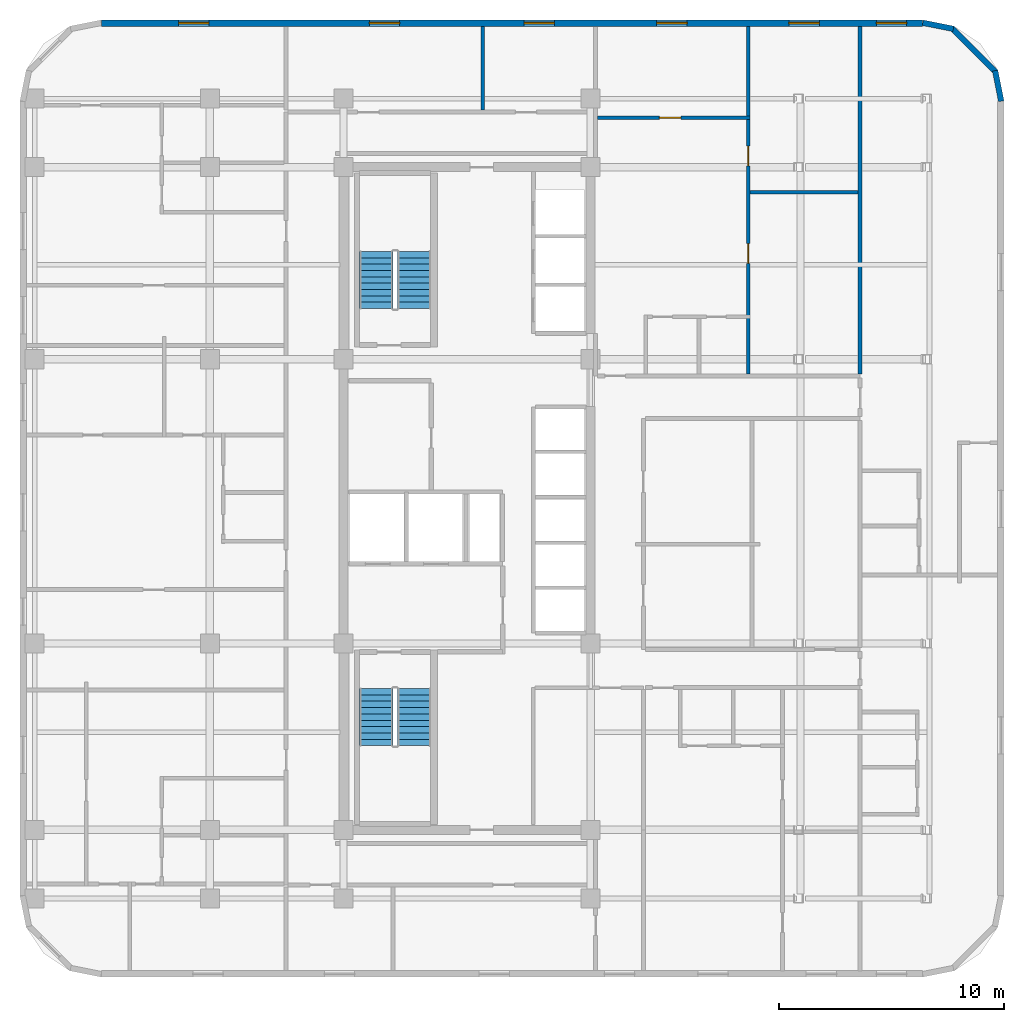
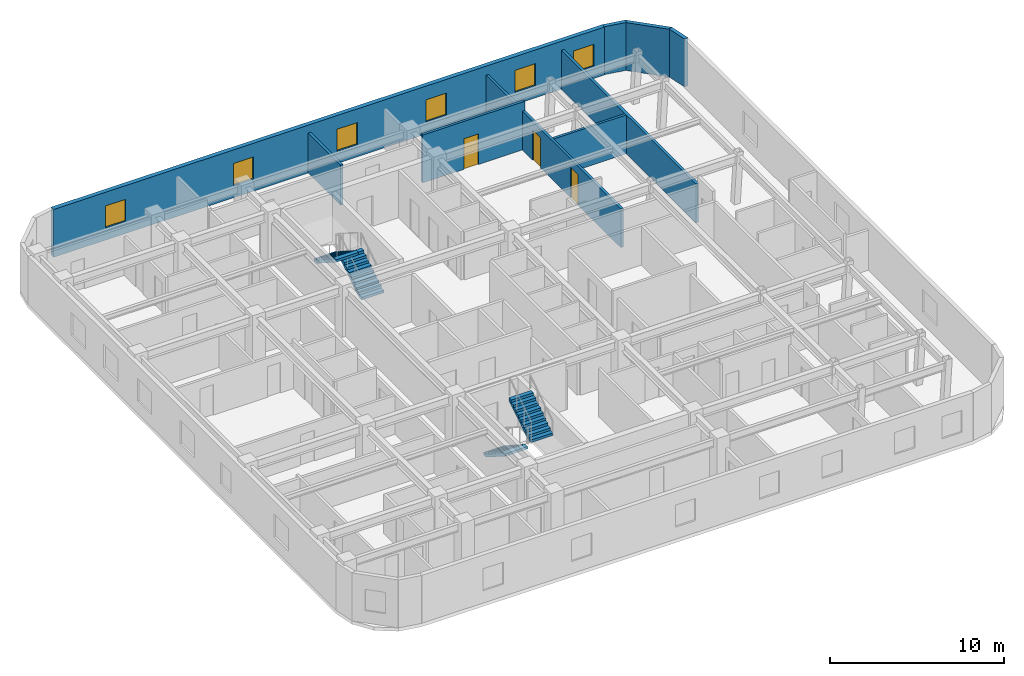
# One storey, part 7 of 8: 9 walls, 6 windows, 4 stair flights, 3 doors, 9 openings, 2 elements without a shape of their own.
"""IFC4 building model written with IfcOpenShell, lengths in metres."""

from ifc_helpers import new_model, si_unit, direction, frame, frame_2d, origin, place, context, subcontext, project, spatial, polyline, rectangle, outline, extrude, material, layer, layer_set, type_object, element, fill, aggregate, save


model = new_model("IFC4")

# Units and contexts
model_context = context("Model", 3, precision=1e-05, world=origin(), true_north=direction((0.0, 1.0)))
body_context = subcontext(model_context, "Body", "Model", "MODEL_VIEW")
ifc_project = project(units=[si_unit("LENGTHUNIT", "METRE"), si_unit("AREAUNIT", "SQUARE_METRE"), si_unit("VOLUMEUNIT", "CUBIC_METRE"), si_unit("PLANEANGLEUNIT", "RADIAN"), si_unit("MASSUNIT", "GRAM", prefix="KILO")], contexts=[model_context])

# Site, building, storey
site_placement = place(None, origin())
site = spatial("IfcSite", under=ifc_project, at=site_placement, CompositionType="ELEMENT")
building_placement = place(site_placement, origin())
building = spatial("IfcBuilding", under=site, at=building_placement, Name="Ochreholt Gables", CompositionType="ELEMENT")
storey_placement = place(building_placement, frame((0.0, 0.0, 128.39990234375)))
storey = spatial("IfcBuildingStorey", under=building, at=storey_placement, Name="L33", CompositionType="ELEMENT", Elevation=128.39990234375)

# Wall, openings, windows
ifc_material_1 = material(Name="Precast concrete 40 MPa", Category="concrete")
ifc_layer_1 = layer(ifc_material_1, 0.280029296875, Name="Precast concrete 40 MPa")
ifc_layer_set_1 = layer_set([ifc_layer_1], Name="Precast concrete 40 MPa")
wall_type_1 = type_object("IfcWallType", Name="WALL-EXT-280", PredefinedType="SOLIDWALL", material=ifc_layer_set_1)
wall_1_placement = place(storey_placement, frame((49.97998046875, 45.159912109375, 0.0), z_axis=(0.0, 0.0, 1.0), x_axis=(-1.0, 0.0, 0.0)))
wall_1 = element("IfcWall", 1, at=wall_1_placement, inside=storey, type_object=wall_type_1, Name="L33 North Exterior Wall", PredefinedType="SOLIDWALL", context=body_context, shape_type="SweptSolid", body=[
    extrude(rectangle(XDim=36.56005859375, YDim=0.280029296875, at=frame_2d((18.280029296875, 0.0))), origin(), (0.0, 0.0, 1.0), 3.360107421875),
])
opening_1_placement = place(wall_1_placement, frame((31.77001953125, 0.0, 0.85009765625)))
opening_1 = element("IfcOpeningElement", 2, at=opening_1_placement, cuts=wall_1, Name="Opening WN-8", PredefinedType="OPENING", context=body_context, shape_type="SweptSolid", body=[
    extrude(rectangle(XDim=1.35009765625, YDim=1.550048828125, at=frame_2d((0.675048828125, 0.77490234375))), frame((0.0, 0.14990234375, 0.0), z_axis=(0.0, -1.0, 0.0), x_axis=(1.0, 0.0, 0.0)), (0.0, 0.0, 1.0), 0.300048828125),
])
opening_2_placement = place(wall_1_placement, frame((23.280029296875, 0.0, 0.85009765625)))
opening_2 = element("IfcOpeningElement", 3, at=opening_2_placement, cuts=wall_1, Name="Opening WN-8", PredefinedType="OPENING", context=body_context, shape_type="SweptSolid", body=[
    extrude(rectangle(XDim=1.35009765625, YDim=1.550048828125, at=frame_2d((0.675048828125, 0.77490234375))), frame((0.0, 0.14990234375, 0.0), z_axis=(0.0, -1.0, 0.0), x_axis=(1.0, 0.0, 0.0)), (0.0, 0.0, 1.0), 0.300048828125),
])
opening_3_placement = place(wall_1_placement, frame((16.39501953125, 0.0, 0.85009765625)))
opening_3 = element("IfcOpeningElement", 4, at=opening_3_placement, cuts=wall_1, Name="Opening WN-8", PredefinedType="OPENING", context=body_context, shape_type="SweptSolid", body=[
    extrude(rectangle(XDim=1.35009765625, YDim=1.550048828125, at=frame_2d((0.675048828125, 0.77490234375))), frame((0.0, 0.14990234375, 0.0), z_axis=(0.0, -1.0, 0.0), x_axis=(1.0, 0.0, 0.0)), (0.0, 0.0, 1.0), 0.300048828125),
])
opening_4_placement = place(wall_1_placement, frame((10.489990234375, 0.0, 0.85009765625)))
opening_4 = element("IfcOpeningElement", 5, at=opening_4_placement, cuts=wall_1, Name="Opening WN-8", PredefinedType="OPENING", context=body_context, shape_type="SweptSolid", body=[
    extrude(rectangle(XDim=1.35009765625, YDim=1.550048828125, at=frame_2d((0.675048828125, 0.77490234375))), frame((0.0, 0.14990234375, 0.0), z_axis=(0.0, -1.0, 0.0), x_axis=(1.0, 0.0, 0.0)), (0.0, 0.0, 1.0), 0.300048828125),
])
opening_5_placement = place(wall_1_placement, frame((4.60009765625, 0.0, 0.85009765625)))
opening_5 = element("IfcOpeningElement", 6, at=opening_5_placement, cuts=wall_1, Name="Opening WN-8", PredefinedType="OPENING", context=body_context, shape_type="SweptSolid", body=[
    extrude(rectangle(XDim=1.35009765625, YDim=1.550048828125, at=frame_2d((0.675048828125, 0.77490234375))), frame((0.0, 0.14990234375, 0.0), z_axis=(0.0, -1.0, 0.0), x_axis=(1.0, 0.0, 0.0)), (0.0, 0.0, 1.0), 0.300048828125),
])
opening_6_placement = place(wall_1_placement, frame((0.715087890625, 0.0, 0.85009765625)))
opening_6 = element("IfcOpeningElement", 7, at=opening_6_placement, cuts=wall_1, Name="Opening WN-8", PredefinedType="OPENING", context=body_context, shape_type="SweptSolid", body=[
    extrude(rectangle(XDim=1.35009765625, YDim=1.550048828125, at=frame_2d((0.675048828125, 0.77490234375))), frame((0.0, 0.14990234375, 0.0), z_axis=(0.0, -1.0, 0.0), x_axis=(1.0, 0.0, 0.0)), (0.0, 0.0, 1.0), 0.300048828125),
])
ifc_material_2 = material(Name="Triple-Glazed Thermally Broken Aluminium Window", Category="aluminium")
window_type = type_object("IfcWindowType", Name="WIN-RES-1350", PartitioningType="SINGLE_PANEL", PredefinedType="WINDOW", material=ifc_material_2)
window_1_placement = place(opening_1_placement, origin())
window_1 = element("IfcWindow", 8, at=window_1_placement, inside=storey, type_object=window_type, Name="L33 Window W-EXT-N-L33-1", OverallHeight=1.550048828125, OverallWidth=1.35009765625, PartitioningType="SINGLE_PANEL", PredefinedType="WINDOW", context=body_context, shape_type="SweptSolid", body=[
    extrude(rectangle(XDim=1.35009765625, YDim=1.550048828125, at=frame_2d((0.675048828125, 0.77490234375))), frame((0.0, 0.030029296875, 0.0), z_axis=(0.0, -1.0, 0.0), x_axis=(1.0, 0.0, 0.0)), (0.0, 0.0, 1.0), 0.06005859375),
])
fill(opening_1, window_1)
window_2_placement = place(opening_2_placement, origin())
window_2 = element("IfcWindow", 9, at=window_2_placement, inside=storey, type_object=window_type, Name="L33 Window W-EXT-N-L33-2", OverallHeight=1.550048828125, OverallWidth=1.35009765625, PartitioningType="SINGLE_PANEL", PredefinedType="WINDOW", context=body_context, shape_type="SweptSolid", body=[
    extrude(rectangle(XDim=1.35009765625, YDim=1.550048828125, at=frame_2d((0.675048828125, 0.77490234375))), frame((0.0, 0.030029296875, 0.0), z_axis=(0.0, -1.0, 0.0), x_axis=(1.0, 0.0, 0.0)), (0.0, 0.0, 1.0), 0.06005859375),
])
fill(opening_2, window_2)
window_3_placement = place(opening_3_placement, origin())
window_3 = element("IfcWindow", 10, at=window_3_placement, inside=storey, type_object=window_type, Name="L33 Window W-EXT-N-L33-3", OverallHeight=1.550048828125, OverallWidth=1.35009765625, PartitioningType="SINGLE_PANEL", PredefinedType="WINDOW", context=body_context, shape_type="SweptSolid", body=[
    extrude(rectangle(XDim=1.35009765625, YDim=1.550048828125, at=frame_2d((0.675048828125, 0.77490234375))), frame((0.0, 0.030029296875, 0.0), z_axis=(0.0, -1.0, 0.0), x_axis=(1.0, 0.0, 0.0)), (0.0, 0.0, 1.0), 0.06005859375),
])
fill(opening_3, window_3)
window_4_placement = place(opening_4_placement, origin())
window_4 = element("IfcWindow", 11, at=window_4_placement, inside=storey, type_object=window_type, Name="L33 Window W-EXT-N-L33-4", OverallHeight=1.550048828125, OverallWidth=1.35009765625, PartitioningType="SINGLE_PANEL", PredefinedType="WINDOW", context=body_context, shape_type="SweptSolid", body=[
    extrude(rectangle(XDim=1.35009765625, YDim=1.550048828125, at=frame_2d((0.675048828125, 0.77490234375))), frame((0.0, 0.030029296875, 0.0), z_axis=(0.0, -1.0, 0.0), x_axis=(1.0, 0.0, 0.0)), (0.0, 0.0, 1.0), 0.06005859375),
])
fill(opening_4, window_4)
window_5_placement = place(opening_5_placement, origin())
window_5 = element("IfcWindow", 12, at=window_5_placement, inside=storey, type_object=window_type, Name="L33 Window W-EXT-N-L33-5", OverallHeight=1.550048828125, OverallWidth=1.35009765625, PartitioningType="SINGLE_PANEL", PredefinedType="WINDOW", context=body_context, shape_type="SweptSolid", body=[
    extrude(rectangle(XDim=1.35009765625, YDim=1.550048828125, at=frame_2d((0.675048828125, 0.77490234375))), frame((0.0, 0.030029296875, 0.0), z_axis=(0.0, -1.0, 0.0), x_axis=(1.0, 0.0, 0.0)), (0.0, 0.0, 1.0), 0.06005859375),
])
fill(opening_5, window_5)
window_6_placement = place(opening_6_placement, origin())
window_6 = element("IfcWindow", 13, at=window_6_placement, inside=storey, type_object=window_type, Name="L33 Window W-EXT-N-L33-6", OverallHeight=1.550048828125, OverallWidth=1.35009765625, PartitioningType="SINGLE_PANEL", PredefinedType="WINDOW", context=body_context, shape_type="SweptSolid", body=[
    extrude(rectangle(XDim=1.35009765625, YDim=1.550048828125, at=frame_2d((0.675048828125, 0.77490234375))), frame((0.0, 0.030029296875, 0.0), z_axis=(0.0, -1.0, 0.0), x_axis=(1.0, 0.0, 0.0)), (0.0, 0.0, 1.0), 0.06005859375),
])
fill(opening_6, window_6)

# Walls
ifc_layer_2 = layer(ifc_material_1, 0.25, Name="Precast concrete 40 MPa")
ifc_layer_set_2 = layer_set([ifc_layer_2], Name="Precast concrete 40 MPa")
wall_type_2 = type_object("IfcWallType", Name="WALL-EXT-CNR", PredefinedType="SOLIDWALL", material=ifc_layer_set_2)
wall_2_placement = place(storey_placement, frame((53.475830078125, 41.68359375, 0.0), z_axis=(0.0, 0.0, 1.0), x_axis=(-0.195000137217, 0.980803214965, 0.0)))
element("IfcWall", 14, at=wall_2_placement, inside=storey, type_object=wall_type_2, Name="L33 Rounded Corner Wall NE-1", PredefinedType="SOLIDWALL", context=body_context, shape_type="SweptSolid", body=[
    extrude(rectangle(XDim=1.388427734375, YDim=0.25, at=frame_2d((0.6943359375, 0.0))), origin(), (0.0, 0.0, 1.0), 3.360107421875),
])
wall_3_placement = place(storey_placement, frame((53.23193359375, 42.9951171875, 0.0), z_axis=(0.0, 0.0, 1.0), x_axis=(-0.707151344399, 0.707062215165, 0.0)))
element("IfcWall", 15, at=wall_3_placement, inside=storey, type_object=wall_type_2, Name="L33 Rounded Corner Wall NE-2", PredefinedType="SOLIDWALL", context=body_context, shape_type="SweptSolid", body=[
    extrude(rectangle(XDim=2.7392578125, YDim=0.25, at=frame_2d((1.36962890625, 0.0))), origin(), (0.0, 0.0, 1.0), 3.360107421875),
])
wall_4_placement = place(storey_placement, frame((51.345458984375, 44.905029296875, 0.0), z_axis=(0.0, 0.0, 1.0), x_axis=(-0.980809899341, 0.19496651342, 0.0)))
element("IfcWall", 16, at=wall_4_placement, inside=storey, type_object=wall_type_2, Name="L33 Rounded Corner Wall NE-3", PredefinedType="SOLIDWALL", context=body_context, shape_type="SweptSolid", body=[
    extrude(rectangle(XDim=1.388671875, YDim=0.25, at=frame_2d((0.6943359375, 0.0))), origin(), (0.0, 0.0, 1.0), 3.360107421875),
])
ifc_material_3 = material(Name="Double-Stud Acoustic Demising Wall", Category="gypsum")
ifc_layer_3 = layer(ifc_material_3, 0.179931640625, Name="Double-Stud Acoustic Demising Wall")
ifc_layer_set_3 = layer_set([ifc_layer_3], Name="Double-Stud Acoustic Demising Wall")
wall_type_3 = type_object("IfcWallType", Name="WALL-INT-DM180", PredefinedType="PARTITIONING", material=ifc_layer_set_3)
wall_5_placement = place(storey_placement, frame((47.199951171875, 29.550048828125, 0.0), z_axis=(0.0, 0.0, 1.0), x_axis=(0.0, 1.0, 0.0)))
element("IfcWall", 17, at=wall_5_placement, inside=storey, type_object=wall_type_3, Name="L33 Interior Wall WI-C2FEW3-L33", PredefinedType="PARTITIONING", context=body_context, shape_type="SweptSolid", body=[
    extrude(rectangle(XDim=15.469970703125, YDim=0.179931640625, at=frame_2d((7.73486328125, 0.0))), origin(), (0.0, 0.0, 1.0), 2.731201171875),
])

# Wall, openings, doors
ifc_material_4 = material(Name="Gypsum Acoustic Stud Partition", Category="gypsum")
ifc_layer_4 = layer(ifc_material_4, 0.1650390625, Name="Gypsum Acoustic Stud Partition")
ifc_layer_set_4 = layer_set([ifc_layer_4], Name="Gypsum Acoustic Stud Partition")
wall_type_4 = type_object("IfcWallType", Name="WALL-INT-PT165", PredefinedType="PARTITIONING", material=ifc_layer_set_4)
wall_6_placement = place(storey_placement, frame((42.2099609375, 29.550048828125, 0.0), z_axis=(0.0, 0.0, 1.0), x_axis=(0.0, 1.0, 0.0)))
wall_6 = element("IfcWall", 18, at=wall_6_placement, inside=storey, type_object=wall_type_4, Name="L33 Interior Wall WU-L33N1-MNX", PredefinedType="PARTITIONING", context=body_context, shape_type="SweptSolid", body=[
    extrude(rectangle(XDim=15.469970703125, YDim=0.1650390625, at=frame_2d((7.73486328125, 0.0))), origin(), (0.0, 0.0, 1.0), 2.731201171875),
])
opening_7_placement = place(wall_6_placement, frame((4.91748046875, 0.0, 0.0)))
opening_7 = element("IfcOpeningElement", 19, at=opening_7_placement, cuts=wall_6, Name="Opening D-BD2", PredefinedType="OPENING", context=body_context, shape_type="SweptSolid", body=[
    extrude(rectangle(XDim=0.8798828125, YDim=2.139892578125, at=frame_2d((0.43994140625, 1.06982421875))), frame((0.0, 0.092529296875, 0.0), z_axis=(0.0, -1.0, 0.0), x_axis=(1.0, 0.0, 0.0)), (0.0, 0.0, 1.0), 0.18505859375),
])
opening_8_placement = place(wall_6_placement, frame((9.2548828125, 0.0, 0.0)))
opening_8 = element("IfcOpeningElement", 20, at=opening_8_placement, cuts=wall_6, Name="Opening D-BD2", PredefinedType="OPENING", context=body_context, shape_type="SweptSolid", body=[
    extrude(rectangle(XDim=0.8798828125, YDim=2.139892578125, at=frame_2d((0.43994140625, 1.06982421875))), frame((0.0, 0.092529296875, 0.0), z_axis=(0.0, -1.0, 0.0), x_axis=(1.0, 0.0, 0.0)), (0.0, 0.0, 1.0), 0.18505859375),
])
ifc_material_5 = material(Name="Engineered Oak Timber", Category="wood")
door_type_1 = type_object("IfcDoorType", Name="DR-INT-BED880", OperationType="NOTDEFINED", PredefinedType="DOOR", material=ifc_material_5)
door_1_placement = place(opening_7_placement, origin())
door_1 = element("IfcDoor", 21, at=door_1_placement, inside=storey, type_object=door_type_1, Name="L33 Door D-U-L33N1-BD1", OperationType="SINGLE_SWING_LEFT", OverallHeight=2.139892578125, OverallWidth=0.8798828125, PredefinedType="DOOR", context=body_context, shape_type="SweptSolid", body=[
    extrude(rectangle(XDim=0.8798828125, YDim=2.139892578125, at=frame_2d((0.43994140625, 1.06982421875))), frame((0.0, 0.02490234375, 0.0), z_axis=(0.0, -1.0, 0.0), x_axis=(1.0, 0.0, 0.0)), (0.0, 0.0, 1.0), 0.050048828125),
])
fill(opening_7, door_1)
door_2_placement = place(opening_8_placement, origin())
door_2 = element("IfcDoor", 22, at=door_2_placement, inside=storey, type_object=door_type_1, Name="L33 Door D-U-L33N1-BD2", OperationType="SINGLE_SWING_RIGHT", OverallHeight=2.139892578125, OverallWidth=0.8798828125, PredefinedType="DOOR", context=body_context, shape_type="SweptSolid", body=[
    extrude(rectangle(XDim=0.8798828125, YDim=2.139892578125, at=frame_2d((0.43994140625, 1.06982421875))), frame((0.0, 0.02490234375, 0.0), z_axis=(0.0, -1.0, 0.0), x_axis=(1.0, 0.0, 0.0)), (0.0, 0.0, 1.0), 0.050048828125),
])
fill(opening_8, door_2)

# Wall, opening, door
wall_7_placement = place(storey_placement, frame((35.510009765625, 40.949951171875, 0.0), z_axis=(0.0, 0.0, 1.0), x_axis=(1.0, 0.0, 0.0)))
wall_7 = element("IfcWall", 23, at=wall_7_placement, inside=storey, type_object=wall_type_4, Name="L33 Interior Wall WU-L33N1-DNY", PredefinedType="PARTITIONING", context=body_context, shape_type="SweptSolid", body=[
    extrude(rectangle(XDim=6.780029296875, YDim=0.1650390625, at=frame_2d((3.39013671875, 0.0))), origin(), (0.0, 0.0, 1.0), 3.360107421875),
])
opening_9_placement = place(wall_7_placement, frame((2.7548828125, 0.0, 0.0)))
opening_9 = element("IfcOpeningElement", 24, at=opening_9_placement, cuts=wall_7, Name="Opening D-GN1", PredefinedType="OPENING", context=body_context, shape_type="SweptSolid", body=[
    extrude(rectangle(XDim=0.949951171875, YDim=2.14990234375, at=frame_2d((0.47509765625, 1.074951171875))), frame((0.0, 0.092529296875, 0.0), z_axis=(0.0, -1.0, 0.0), x_axis=(1.0, 0.0, 0.0)), (0.0, 0.0, 1.0), 0.18505859375),
])
door_type_2 = type_object("IfcDoorType", Name="DR-INT-GEN950", OperationType="NOTDEFINED", PredefinedType="DOOR", material=ifc_material_5)
door_3_placement = place(opening_9_placement, origin())
door_3 = element("IfcDoor", 25, at=door_3_placement, inside=storey, type_object=door_type_2, Name="L33 Door D-U-L33N1-DIN", OperationType="SINGLE_SWING_RIGHT", OverallHeight=2.14990234375, OverallWidth=0.949951171875, PredefinedType="DOOR", context=body_context, shape_type="SweptSolid", body=[
    extrude(rectangle(XDim=0.949951171875, YDim=2.14990234375, at=frame_2d((0.47509765625, 1.074951171875))), frame((0.0, 0.02490234375, 0.0), z_axis=(0.0, -1.0, 0.0), x_axis=(1.0, 0.0, 0.0)), (0.0, 0.0, 1.0), 0.050048828125),
])
fill(opening_9, door_3)

# Walls
wall_8_placement = place(storey_placement, frame((42.2900390625, 37.6298828125, 0.0), z_axis=(0.0, 0.0, 1.0), x_axis=(1.0, 0.0, 0.0)))
element("IfcWall", 26, at=wall_8_placement, inside=storey, type_object=wall_type_4, Name="L33 Interior Wall WU-L33N1-RDV", PredefinedType="PARTITIONING", context=body_context, shape_type="SweptSolid", body=[
    extrude(rectangle(XDim=4.820068359375, YDim=0.1650390625, at=frame_2d((2.41015625, 0.0))), origin(), (0.0, 0.0, 1.0), 2.731201171875),
])
wall_9_placement = place(storey_placement, frame((30.39990234375, 41.2900390625, 0.0), z_axis=(0.0, 0.0, 1.0), x_axis=(0.0, 1.0, 0.0)))
element("IfcWall", 27, at=wall_9_placement, inside=storey, type_object=wall_type_4, Name="L33 Interior Wall WI-C2PKN-L33", PredefinedType="PARTITIONING", context=body_context, shape_type="SweptSolid", body=[
    extrude(rectangle(XDim=3.72998046875, YDim=0.1650390625, at=frame_2d((1.864990234375, 0.0))), origin(), (0.0, 0.0, 1.0), 2.80908203125),
])

# Stair, stair flights
ifc_material_6 = material(Name="Concrete 40 MPa", Category="concrete")
stair_type_1 = type_object("IfcStairType", Name="STAIR-CORE-ST-1", PredefinedType="HALF_TURN_STAIR", material=ifc_material_6)
stair_1_placement = place(storey_placement, origin())
stair_1 = element("IfcStair", 28, at=stair_1_placement, inside=storey, type_object=stair_type_1, Name="L33 Core Exit Stair 1", PredefinedType="HALF_TURN_STAIR")
stair_flight_type = type_object("IfcStairFlightType", Name="FLIGHT-ST-1480-1800", PredefinedType="STRAIGHT", material=ifc_material_6)
stair_flight_1_placement = place(storey_placement, frame((25.659912109375, 15.5400390625, 0.0), z_axis=(0.0, 0.0, 1.0), x_axis=(0.0, -1.0, 0.0)))
stair_flight_1 = element("IfcStairFlight", 29, at=stair_flight_1_placement, type_object=stair_flight_type, Name="ST-1 flight 1", NumberOfRisers=10, NumberOfTreads=9, PredefinedType="STRAIGHT", RiserHeight=0.18, TreadLength=0.282, context=body_context, shape_type="SweptSolid", body=[
    extrude(outline(polyline([(0.0, 0.0), (0.0, 0.179931640625), (0.281982421875, 0.179931640625), (0.281982421875, 0.360107421875), (0.56396484375, 0.360107421875), (0.56396484375, 0.5400390625), (0.845947265625, 0.5400390625), (0.845947265625, 0.719970703125), (1.1279296875, 0.719970703125), (1.1279296875, 0.89990234375), (1.409912109375, 0.89990234375), (1.409912109375, 1.080078125), (1.69189453125, 1.080078125), (1.69189453125, 1.260009765625), (1.97412109375, 1.260009765625), (1.97412109375, 1.43994140625), (2.256103515625, 1.43994140625), (2.256103515625, 1.6201171875), (2.5380859375, 1.6201171875), (2.5380859375, 1.800048828125), (2.5380859375, 1.442138671875), (0.278564453125, 0.0), (0.0, 0.0)])), frame((0.0, 0.739990234375, 0.0), z_axis=(0.0, -1.0, 0.0), x_axis=(1.0, 0.0, 0.0)), (0.0, 0.0, 1.0), 1.47998046875),
])
stair_flight_2_placement = place(storey_placement, frame((27.340087890625, 13.001953125, 1.800048828125), z_axis=(0.0, 0.0, 1.0), x_axis=(0.0, 1.0, 0.0)))
stair_flight_2 = element("IfcStairFlight", 30, at=stair_flight_2_placement, type_object=stair_flight_type, Name="ST-1 flight 2", NumberOfRisers=10, NumberOfTreads=9, PredefinedType="STRAIGHT", RiserHeight=0.18, TreadLength=0.282, context=body_context, shape_type="SweptSolid", body=[
    extrude(outline(polyline([(0.0, 0.0), (0.0, 0.179931640625), (0.281982421875, 0.179931640625), (0.281982421875, 0.360107421875), (0.56396484375, 0.360107421875), (0.56396484375, 0.5400390625), (0.845947265625, 0.5400390625), (0.845947265625, 0.719970703125), (1.1279296875, 0.719970703125), (1.1279296875, 0.89990234375), (1.409912109375, 0.89990234375), (1.409912109375, 1.080078125), (1.69189453125, 1.080078125), (1.69189453125, 1.260009765625), (1.97412109375, 1.260009765625), (1.97412109375, 1.43994140625), (2.256103515625, 1.43994140625), (2.256103515625, 1.6201171875), (2.5380859375, 1.6201171875), (2.5380859375, 1.800048828125), (2.5380859375, 1.442138671875), (0.278564453125, 0.0), (0.0, 0.0)])), frame((0.0, 0.739990234375, 0.0), z_axis=(0.0, -1.0, 0.0), x_axis=(1.0, 0.0, 0.0)), (0.0, 0.0, 1.0), 1.47998046875),
])
aggregate(stair_1, [stair_flight_1, stair_flight_2])

stair_type_2 = type_object("IfcStairType", Name="STAIR-CORE-ST-2", PredefinedType="HALF_TURN_STAIR", material=ifc_material_6)
stair_2_placement = place(storey_placement, origin())
stair_2 = element("IfcStair", 31, at=stair_2_placement, inside=storey, type_object=stair_type_2, Name="L33 Core Exit Stair 2", PredefinedType="HALF_TURN_STAIR")
stair_flight_3_placement = place(storey_placement, frame((27.340087890625, 32.4599609375, 0.0), z_axis=(0.0, 0.0, 1.0), x_axis=(0.0, 1.0, 0.0)))
stair_flight_3 = element("IfcStairFlight", 32, at=stair_flight_3_placement, type_object=stair_flight_type, Name="ST-2 flight 1", NumberOfRisers=10, NumberOfTreads=9, PredefinedType="STRAIGHT", RiserHeight=0.18, TreadLength=0.282, context=body_context, shape_type="SweptSolid", body=[
    extrude(outline(polyline([(0.0, 0.0), (0.0, 0.179931640625), (0.281982421875, 0.179931640625), (0.281982421875, 0.360107421875), (0.56396484375, 0.360107421875), (0.56396484375, 0.5400390625), (0.845947265625, 0.5400390625), (0.845947265625, 0.719970703125), (1.1279296875, 0.719970703125), (1.1279296875, 0.89990234375), (1.409912109375, 0.89990234375), (1.409912109375, 1.080078125), (1.69189453125, 1.080078125), (1.69189453125, 1.260009765625), (1.97412109375, 1.260009765625), (1.97412109375, 1.43994140625), (2.256103515625, 1.43994140625), (2.256103515625, 1.6201171875), (2.5380859375, 1.6201171875), (2.5380859375, 1.800048828125), (2.5380859375, 1.442138671875), (0.278564453125, 0.0), (0.0, 0.0)])), frame((0.0, 0.739990234375, 0.0), z_axis=(0.0, -1.0, 0.0), x_axis=(1.0, 0.0, 0.0)), (0.0, 0.0, 1.0), 1.47998046875),
])
stair_flight_4_placement = place(storey_placement, frame((25.659912109375, 34.998046875, 1.800048828125), z_axis=(0.0, 0.0, 1.0), x_axis=(0.0, -1.0, 0.0)))
stair_flight_4 = element("IfcStairFlight", 33, at=stair_flight_4_placement, type_object=stair_flight_type, Name="ST-2 flight 2", NumberOfRisers=10, NumberOfTreads=9, PredefinedType="STRAIGHT", RiserHeight=0.18, TreadLength=0.282, context=body_context, shape_type="SweptSolid", body=[
    extrude(outline(polyline([(0.0, 0.0), (0.0, 0.179931640625), (0.281982421875, 0.179931640625), (0.281982421875, 0.360107421875), (0.56396484375, 0.360107421875), (0.56396484375, 0.5400390625), (0.845947265625, 0.5400390625), (0.845947265625, 0.719970703125), (1.1279296875, 0.719970703125), (1.1279296875, 0.89990234375), (1.409912109375, 0.89990234375), (1.409912109375, 1.080078125), (1.69189453125, 1.080078125), (1.69189453125, 1.260009765625), (1.97412109375, 1.260009765625), (1.97412109375, 1.43994140625), (2.256103515625, 1.43994140625), (2.256103515625, 1.6201171875), (2.5380859375, 1.6201171875), (2.5380859375, 1.800048828125), (2.5380859375, 1.442138671875), (0.278564453125, 0.0), (0.0, 0.0)])), frame((0.0, 0.739990234375, 0.0), z_axis=(0.0, -1.0, 0.0), x_axis=(1.0, 0.0, 0.0)), (0.0, 0.0, 1.0), 1.47998046875),
])
aggregate(stair_2, [stair_flight_3, stair_flight_4])

save(model, "model.ifc")
